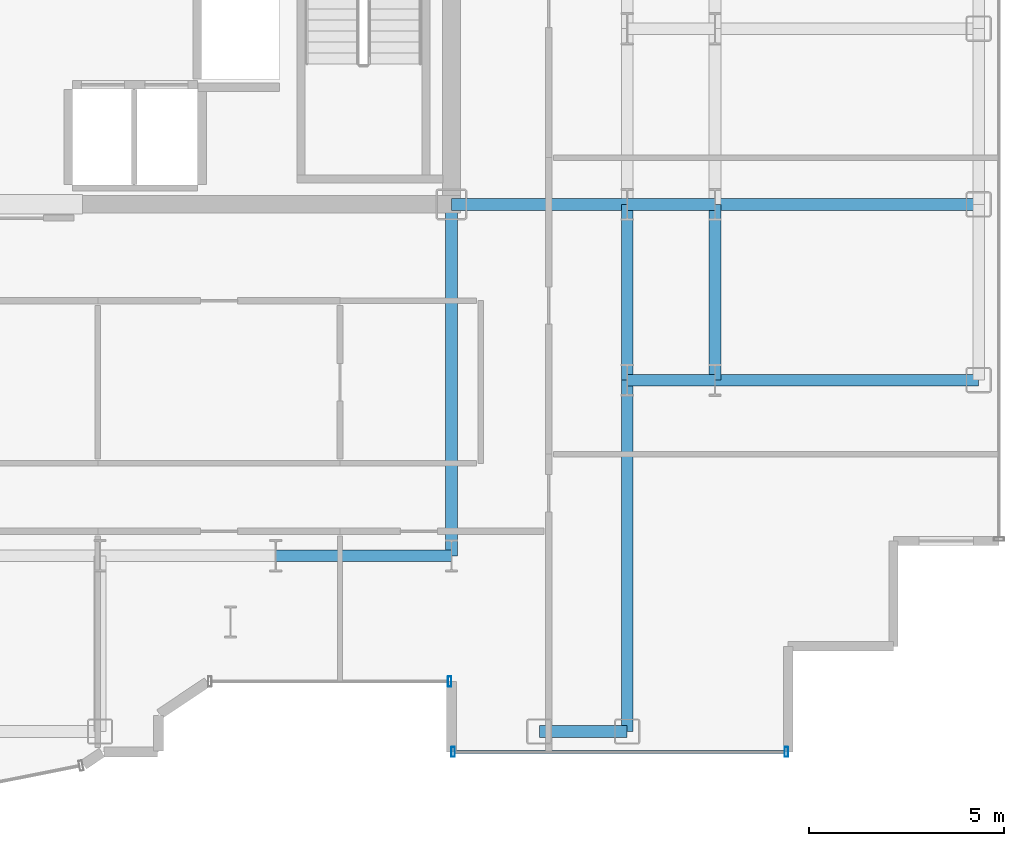
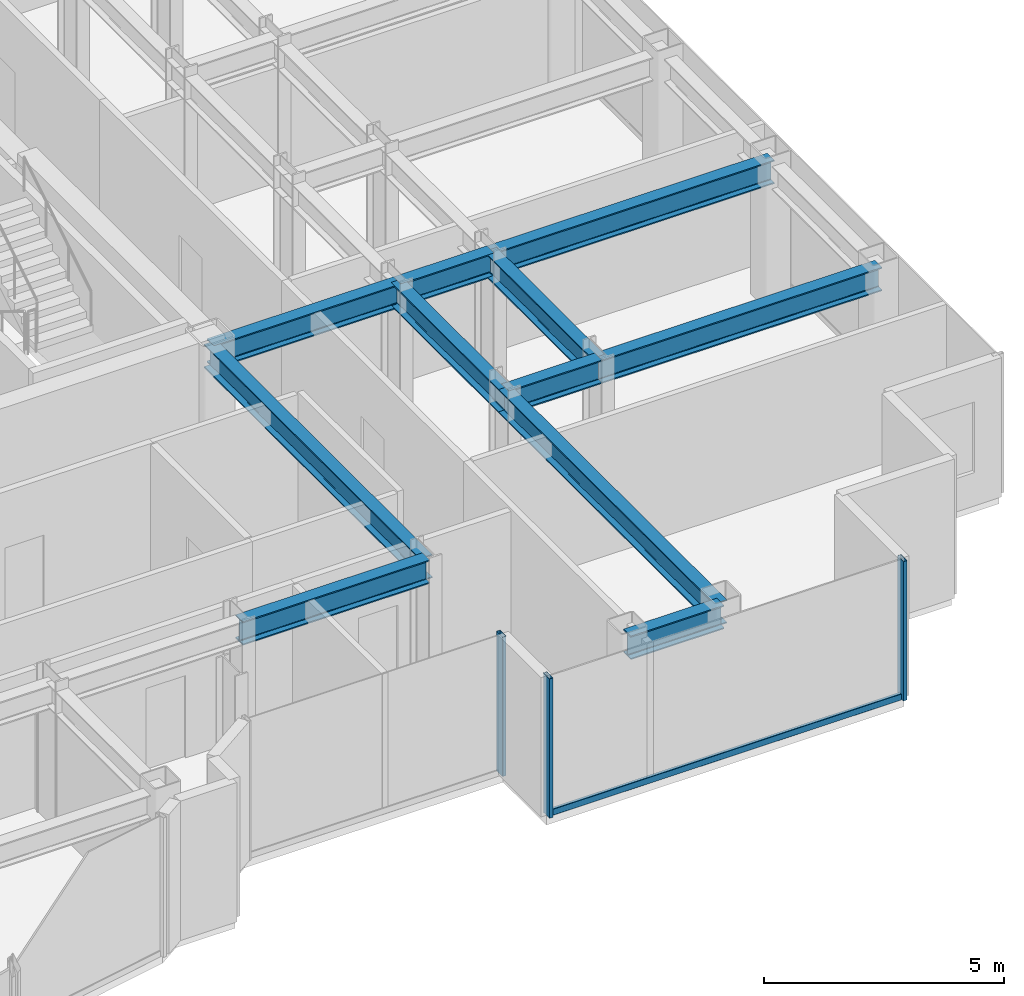
# One storey, part 5 of 20: 11 beams, 4 members, 2 elements without a shape of their own.
"""IFC4 building model written with IfcOpenShell, lengths in metres."""

from ifc_helpers import new_model, si_unit, direction, frame, origin, origin_2d, place, context, subcontext, project, spatial, hollow_rectangle, i_section, extrude, source, transform, mapped, material, layer, layer_set, material_profile, profile_set, type_object, element, aggregate, save


model = new_model("IFC4")

# Units and contexts
model_context = context("Model", 3, precision=1e-05, world=origin(), true_north=direction((0.0, 1.0)))
body_context = subcontext(model_context, "Body", "Model", "MODEL_VIEW")
ifc_project = project(units=[si_unit("LENGTHUNIT", "METRE"), si_unit("AREAUNIT", "SQUARE_METRE"), si_unit("VOLUMEUNIT", "CUBIC_METRE"), si_unit("PLANEANGLEUNIT", "RADIAN"), si_unit("MASSUNIT", "GRAM", prefix="KILO")], contexts=[model_context])

# Site, building, storey
site_placement = place(None, origin())
site = spatial("IfcSite", under=ifc_project, at=site_placement, CompositionType="ELEMENT")
building_placement = place(site_placement, origin())
building = spatial("IfcBuilding", under=site, at=building_placement, Name="Nefas-Gora Pilgrimage Tower", CompositionType="ELEMENT")
storey_placement = place(building_placement, frame((0.0, 0.0, 237.0)))
storey = spatial("IfcBuildingStorey", under=building, at=storey_placement, Name="L59", CompositionType="ELEMENT", Elevation=237.0)

# Beams
ifc_material_1 = material(Name="Steel S355", Category="steel")
ifc_material_profile_1 = material_profile(ifc_material_1, i_section(OverallWidth=0.300048828125, OverallDepth=0.60009765625, WebThickness=0.015380859375, FlangeThickness=0.030029296875, FilletRadius=0.027099609375, at=origin_2d()), Name="HEB 600")
ifc_profile_set_1 = profile_set([ifc_material_profile_1], Name="Steel S355")
beam_type_1 = type_object("IfcBeamType", Name="BM-GIR-HEB600", PredefinedType="BEAM", material=ifc_profile_set_1)
shared_shape_1 = source(origin(), body_context, "Body", "SweptSolid", [
    extrude(i_section(OverallWidth=0.300048828125, OverallDepth=0.60009765625, WebThickness=0.015380859375, FlangeThickness=0.030029296875, FilletRadius=0.027099609375, at=origin_2d()), origin(), (0.0, 0.0, 1.0), 9.0),
])
for number, where, z_axis, x_axis, name in (
    (1, (11.25, -18.0, 3.25), (0.0, 1.0, 0.0), (-1.0, 0.0, 0.0), "L59 G-04 beam"),
    (2, (15.75, -22.5, 3.25), (0.0, 1.0, 0.0), (-1.0, 0.0, 0.0), "L59 G-04 beam"),
):
    element("IfcBeam", number, at=place(storey_placement, frame(where, z_axis=z_axis, x_axis=x_axis)), inside=storey, type_object=beam_type_1, Name=name, PredefinedType="BEAM", context=body_context, shape_type="MappedRepresentation", body=[
        mapped(shared_shape_1, transform((0.0, 0.0, 0.0), x_axis=(1.0, 0.0, 0.0), y_axis=(0.0, 1.0, 0.0), z_axis=(0.0, 0.0, 1.0), scale=1.0)),
    ])
shared_shape_2 = source(origin(), body_context, "Body", "SweptSolid", [
    extrude(i_section(OverallWidth=0.300048828125, OverallDepth=0.60009765625, WebThickness=0.015380859375, FlangeThickness=0.030029296875, FilletRadius=0.027099609375, at=origin_2d()), origin(), (0.0, 0.0, 1.0), 4.5),
])
for number, where, z_axis, x_axis, name in (
    (3, (6.75, -18.0, 3.25), (1.0, 0.0, 0.0), (0.0, 1.0, 0.0), "L59 G-04 beam"),
    (4, (11.25, -9.0, 3.25), (1.0, 0.0, 0.0), (0.0, 1.0, 0.0), "L59 G-04 beam"),
    (5, (15.75, -13.5, 3.25), (0.0, 1.0, 0.0), (-1.0, 0.0, 0.0), "L59 G-04 beam"),
    (6, (18.0, -13.5, 3.25), (0.0, 1.0, 0.0), (-1.0, 0.0, 0.0), "L59 G-04 beam"),
):
    element("IfcBeam", number, at=place(storey_placement, frame(where, z_axis=z_axis, x_axis=x_axis)), inside=storey, type_object=beam_type_1, Name=name, PredefinedType="BEAM", context=body_context, shape_type="MappedRepresentation", body=[
        mapped(shared_shape_2, transform((0.0, 0.0, 0.0), x_axis=(1.0, 0.0, 0.0), y_axis=(0.0, 1.0, 0.0), z_axis=(0.0, 0.0, 1.0), scale=1.0)),
    ])
shared_shape_3 = source(origin(), body_context, "Body", "SweptSolid", [
    extrude(i_section(OverallWidth=0.300048828125, OverallDepth=0.60009765625, WebThickness=0.015380859375, FlangeThickness=0.030029296875, FilletRadius=0.027099609375, at=origin_2d()), origin(), (0.0, 0.0, 1.0), 6.75),
])
for number, where, z_axis, x_axis, name in (
    (7, (18.0, -13.5, 3.25), (1.0, 0.0, 0.0), (0.0, 1.0, 0.0), "L59 G-04 beam"),
    (8, (18.0, -9.0, 3.25), (1.0, 0.0, 0.0), (0.0, 1.0, 0.0), "L59 G-04 beam"),
):
    element("IfcBeam", number, at=place(storey_placement, frame(where, z_axis=z_axis, x_axis=x_axis)), inside=storey, type_object=beam_type_1, Name=name, PredefinedType="BEAM", context=body_context, shape_type="MappedRepresentation", body=[
        mapped(shared_shape_3, transform((0.0, 0.0, 0.0), x_axis=(1.0, 0.0, 0.0), y_axis=(0.0, 1.0, 0.0), z_axis=(0.0, 0.0, 1.0), scale=1.0)),
    ])
ifc_material_profile_2 = material_profile(ifc_material_1, i_section(OverallWidth=0.300048828125, OverallDepth=0.60009765625, WebThickness=0.015380859375, FlangeThickness=0.030029296875, FilletRadius=0.027099609375, at=origin_2d()), Name="HEB 600")
ifc_profile_set_2 = profile_set([ifc_material_profile_2], Name="Steel S355")
beam_type_2 = type_object("IfcBeamType", Name="BM-SPN-HEB450", PredefinedType="SPANDREL", material=ifc_profile_set_2)
shared_shape_4 = source(origin(), body_context, "Body", "SweptSolid", [
    extrude(i_section(OverallWidth=0.300048828125, OverallDepth=0.60009765625, WebThickness=0.015380859375, FlangeThickness=0.030029296875, FilletRadius=0.027099609375, at=origin_2d()), origin(), (0.0, 0.0, 1.0), 2.25),
])
beam_placement = place(storey_placement, frame((13.5, -22.5, 3.25), z_axis=(1.0, 0.0, 0.0), x_axis=(0.0, 1.0, 0.0)))
element("IfcBeam", 9, at=beam_placement, inside=storey, type_object=beam_type_2, Name="L59 SP-03 beam", PredefinedType="SPANDREL", context=body_context, shape_type="MappedRepresentation", body=[
    mapped(shared_shape_4, transform((0.0, 0.0, 0.0), x_axis=(1.0, 0.0, 0.0), y_axis=(0.0, 1.0, 0.0), z_axis=(0.0, 0.0, 1.0), scale=1.0)),
])
shared_shape_5 = source(origin(), body_context, "Body", "SweptSolid", [
    extrude(i_section(OverallWidth=0.300048828125, OverallDepth=0.60009765625, WebThickness=0.015380859375, FlangeThickness=0.030029296875, FilletRadius=0.027099609375, at=origin_2d()), origin(), (0.0, 0.0, 1.0), 2.25),
])
for number, where, z_axis, x_axis, name in (
    (10, (15.75, -13.5, 3.25), (1.0, 0.0, 0.0), (0.0, 1.0, 0.0), "L59 G-04 beam"),
    (11, (15.75, -9.0, 3.25), (1.0, 0.0, 0.0), (0.0, 1.0, 0.0), "L59 G-04 beam"),
):
    element("IfcBeam", number, at=place(storey_placement, frame(where, z_axis=z_axis, x_axis=x_axis)), inside=storey, type_object=beam_type_1, Name=name, PredefinedType="BEAM", context=body_context, shape_type="MappedRepresentation", body=[
        mapped(shared_shape_5, transform((0.0, 0.0, 0.0), x_axis=(1.0, 0.0, 0.0), y_axis=(0.0, 1.0, 0.0), z_axis=(0.0, 0.0, 1.0), scale=1.0)),
    ])

# Curtain wall, member
ifc_material_2 = material(Name="Dark ceramic-fritted solar-control aluminium-glass curtain wall", Category="aluminium")
ifc_layer_1 = layer(ifc_material_2, 0.219970703125)
ifc_layer_set_1 = layer_set([ifc_layer_1], Name="Dark ceramic-fritted solar-control aluminium-glass curtain wall")
curtain_wall_type_1 = type_object("IfcCurtainWallType", Name="CW-SYS-5", PredefinedType="NOTDEFINED", material=ifc_layer_set_1)
curtain_wall_1_placement = place(storey_placement, origin())
curtain_wall_1 = element("IfcCurtainWall", 12, at=curtain_wall_1_placement, inside=storey, type_object=curtain_wall_type_1, Name="L59 Unitised Curtain Wall CW5", PredefinedType="NOTDEFINED")
ifc_material_3 = material(Name="Anodised architectural aluminium", Category="aluminium")
ifc_material_profile_3 = material_profile(ifc_material_3, hollow_rectangle(XDim=0.090087890625, YDim=0.260009765625, WallThickness=0.006103515625, InnerFilletRadius=0.006103515625, OuterFilletRadius=0.011962890625, at=origin_2d()), Name="ALU MULLION 90x260")
ifc_profile_set_3 = profile_set([ifc_material_profile_3], Name="Anodised architectural aluminium")
member_type_1 = type_object("IfcMemberType", Name="CWM-MUL-5", PredefinedType="MULLION", material=ifc_profile_set_3)
shared_shape_6 = source(origin(), body_context, "Body", "SweptSolid", [
    extrude(hollow_rectangle(XDim=0.090087890625, YDim=0.260009765625, WallThickness=0.006103515625, InnerFilletRadius=0.006103515625, OuterFilletRadius=0.011962890625, at=origin_2d()), origin(), (0.0, 0.0, 1.0), 3.550048828125),
])
member_1_placement = place(storey_placement, frame((11.205078125, -21.219970703125, 0.0), z_axis=(0.0, 0.0, 1.0), x_axis=(1.0, 0.0, 0.0)))
member_1 = element("IfcMember", 13, at=member_1_placement, type_object=member_type_1, Name="CW5 Mullion 2", PredefinedType="MULLION", context=body_context, shape_type="MappedRepresentation", body=[
    mapped(shared_shape_6, transform((0.0, 0.0, 0.0), x_axis=(1.0, 0.0, 0.0), y_axis=(0.0, 1.0, 0.0), z_axis=(0.0, 0.0, 1.0), scale=1.0)),
])
aggregate(curtain_wall_1, [member_1])

# Curtain wall, members
ifc_layer_2 = layer(ifc_material_2, 0.219970703125)
ifc_layer_set_2 = layer_set([ifc_layer_2], Name="Dark ceramic-fritted solar-control aluminium-glass curtain wall")
curtain_wall_type_2 = type_object("IfcCurtainWallType", Name="CW-SYS-3", PredefinedType="NOTDEFINED", material=ifc_layer_set_2)
curtain_wall_2_placement = place(storey_placement, origin())
curtain_wall_2 = element("IfcCurtainWall", 14, at=curtain_wall_2_placement, inside=storey, type_object=curtain_wall_type_2, Name="L59 Unitised Curtain Wall CW3", PredefinedType="NOTDEFINED")
ifc_material_profile_4 = material_profile(ifc_material_3, hollow_rectangle(XDim=0.090087890625, YDim=0.260009765625, WallThickness=0.006103515625, InnerFilletRadius=0.006103515625, OuterFilletRadius=0.011962890625, at=origin_2d()), Name="ALU MULLION 90x260")
ifc_profile_set_4 = profile_set([ifc_material_profile_4], Name="Anodised architectural aluminium")
member_type_2 = type_object("IfcMemberType", Name="CWM-MUL-3", PredefinedType="MULLION", material=ifc_profile_set_4)
shared_shape_7 = source(origin(), body_context, "Body", "SweptSolid", [
    extrude(hollow_rectangle(XDim=0.090087890625, YDim=0.260009765625, WallThickness=0.006103515625, InnerFilletRadius=0.006103515625, OuterFilletRadius=0.011962890625, at=origin_2d()), origin(), (0.0, 0.0, 1.0), 3.550048828125),
])
member_2_placement = place(storey_placement, frame((11.294921875, -23.02001953125, 0.0), z_axis=(0.0, 0.0, 1.0), x_axis=(1.0, 0.0, 0.0)))
member_2 = element("IfcMember", 15, at=member_2_placement, type_object=member_type_2, Name="CW3 Mullion 1", PredefinedType="MULLION", context=body_context, shape_type="MappedRepresentation", body=[
    mapped(shared_shape_7, transform((0.0, 0.0, 0.0), x_axis=(1.0, 0.0, 0.0), y_axis=(0.0, 1.0, 0.0), z_axis=(0.0, 0.0, 1.0), scale=1.0)),
])
member_3_placement = place(storey_placement, frame((19.824951171875, -23.02001953125, 0.0), z_axis=(0.0, 0.0, 1.0), x_axis=(1.0, 0.0, 0.0)))
member_3 = element("IfcMember", 16, at=member_3_placement, type_object=member_type_2, Name="CW3 Mullion 2", PredefinedType="MULLION", context=body_context, shape_type="MappedRepresentation", body=[
    mapped(shared_shape_7, transform((0.0, 0.0, 0.0), x_axis=(1.0, 0.0, 0.0), y_axis=(0.0, 1.0, 0.0), z_axis=(0.0, 0.0, 1.0), scale=1.0)),
])
ifc_material_profile_5 = material_profile(ifc_material_3, hollow_rectangle(XDim=0.080078125, YDim=0.159912109375, WallThickness=0.00439453125, InnerFilletRadius=0.00439453125, OuterFilletRadius=0.009033203125, at=origin_2d()), Name="ALU TRANSOM 80x160")
ifc_profile_set_5 = profile_set([ifc_material_profile_5], Name="Anodised architectural aluminium")
member_type_3 = type_object("IfcMemberType", Name="CWM-TRN-3", PredefinedType="USERDEFINED", material=ifc_profile_set_5)
shared_shape_8 = source(origin(), body_context, "Body", "SweptSolid", [
    extrude(hollow_rectangle(XDim=0.080078125, YDim=0.159912109375, WallThickness=0.00439453125, InnerFilletRadius=0.00439453125, OuterFilletRadius=0.009033203125, at=origin_2d()), origin(), (0.0, 0.0, 1.0), 8.43994140625),
])
member_4_placement = place(storey_placement, frame((11.340087890625, -23.02001953125, 0.050048828125), z_axis=(1.0, 0.0, 0.0), x_axis=(0.0, 1.0, 0.0)))
member_4 = element("IfcMember", 17, at=member_4_placement, type_object=member_type_3, Name="CW3 Spandrel Transom", ObjectType="TRANSOM", PredefinedType="USERDEFINED", context=body_context, shape_type="MappedRepresentation", body=[
    mapped(shared_shape_8, transform((0.0, 0.0, 0.0), x_axis=(1.0, 0.0, 0.0), y_axis=(0.0, 1.0, 0.0), z_axis=(0.0, 0.0, 1.0), scale=1.0)),
])
aggregate(curtain_wall_2, [member_2, member_3, member_4])

save(model, "model.ifc")
